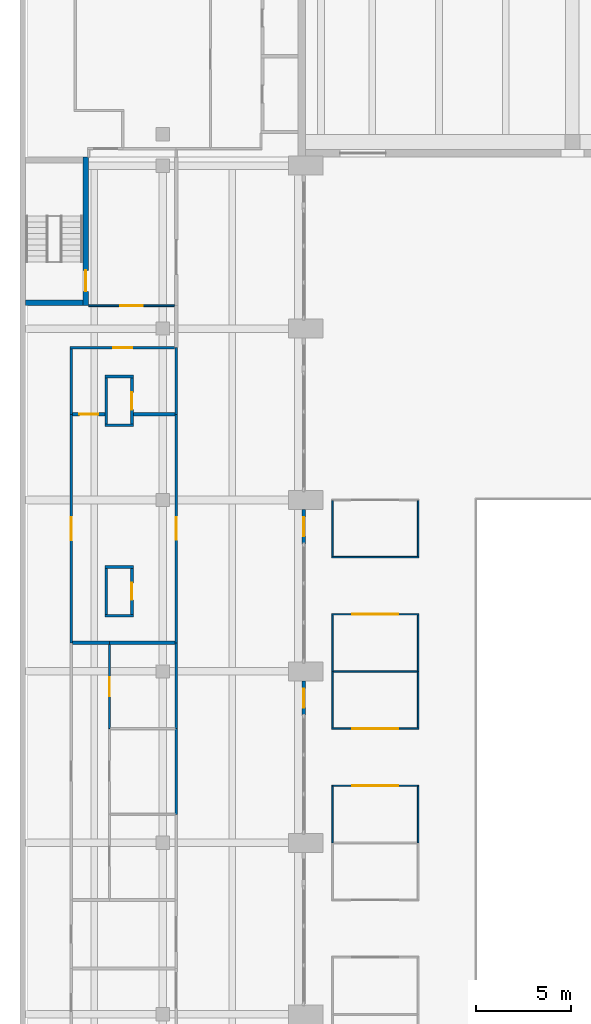
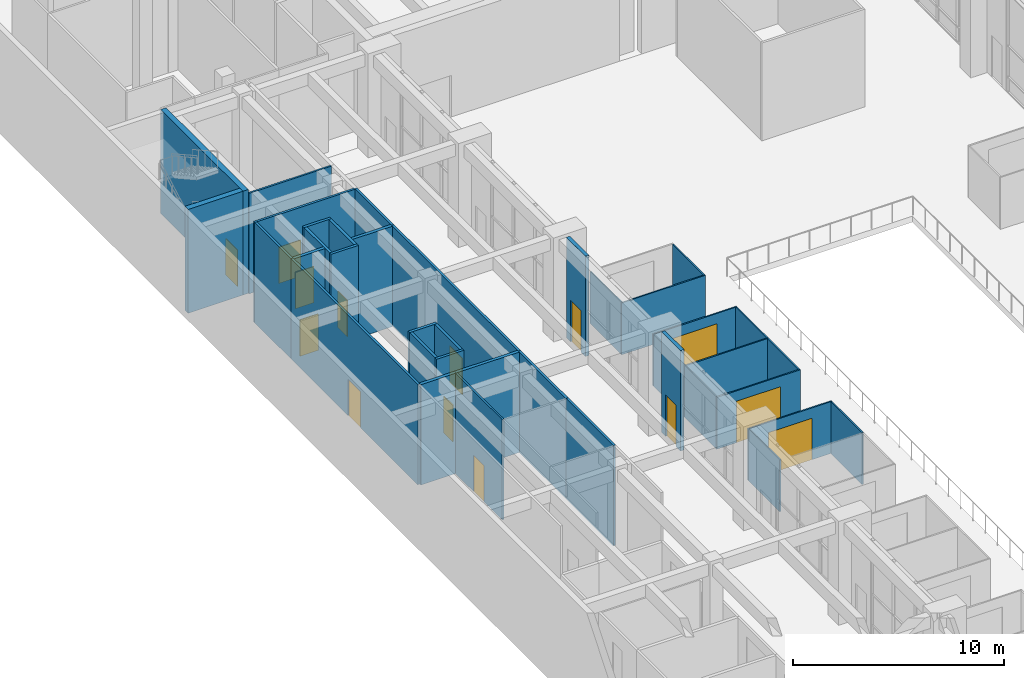
# One storey, part 35 of 51: 38 walls, 14 doors, 14 openings.
"""IFC4 building model written with IfcOpenShell, lengths in metres."""

from ifc_helpers import new_model, si_unit, direction, frame, frame_2d, origin, place, context, subcontext, project, spatial, rectangle, extrude, material, layer, layer_set, type_object, element, fill, save


model = new_model("IFC4")

# Units and contexts
model_context = context("Model", 3, precision=1e-05, world=origin(), true_north=direction((0.0, 1.0)))
body_context = subcontext(model_context, "Body", "Model", "MODEL_VIEW")
ifc_project = project(units=[si_unit("LENGTHUNIT", "METRE"), si_unit("AREAUNIT", "SQUARE_METRE"), si_unit("VOLUMEUNIT", "CUBIC_METRE"), si_unit("PLANEANGLEUNIT", "RADIAN"), si_unit("MASSUNIT", "GRAM", prefix="KILO")], contexts=[model_context])

# Site, building, storey
site_placement = place(None, origin())
site = spatial("IfcSite", under=ifc_project, at=site_placement, CompositionType="ELEMENT")
building_placement = place(site_placement, origin())
building = spatial("IfcBuilding", under=site, at=building_placement, Name="Elmora Arch Market Hall", CompositionType="ELEMENT")
storey_placement = place(building_placement, origin())
storey = spatial("IfcBuildingStorey", under=building, at=storey_placement, Name="L00", CompositionType="ELEMENT", Elevation=0.0)

# Walls
ifc_material_1 = material(Name="Blockwork", Category="masonry")
ifc_layer_1 = layer(ifc_material_1, 0.14990234375)
ifc_layer_set_1 = layer_set([ifc_layer_1], Name="Blockwork")
wall_type_1 = type_object("IfcWallType", Name="Blockwork partition 150 EI 120", PredefinedType="PARTITIONING", material=ifc_layer_set_1)
wall_1_placement = place(storey_placement, frame((4.449951171875, 74.925048828125, 0.0), z_axis=(0.0, 0.0, 1.0), x_axis=(1.0, 0.0, 0.0)))
element("IfcWall", 1, at=wall_1_placement, inside=storey, type_object=wall_type_1, Name="Riser wall L00 05", PredefinedType="PARTITIONING", context=body_context, shape_type="SweptSolid", body=[
    extrude(rectangle(XDim=1.5, YDim=0.14990234375, at=frame_2d((0.75, 0.0))), origin(), (0.0, 0.0, 1.0), 5.800048828125),
])
wall_2_placement = place(storey_placement, frame((4.52490234375, 75.0, 0.0), z_axis=(0.0, 0.0, 1.0), x_axis=(0.0, 1.0, 0.0)))
element("IfcWall", 2, at=wall_2_placement, inside=storey, type_object=wall_type_1, Name="Riser wall L00 06", PredefinedType="PARTITIONING", context=body_context, shape_type="SweptSolid", body=[
    extrude(rectangle(XDim=2.39990234375, YDim=0.14990234375, at=frame_2d((1.199951171875, 0.0))), origin(), (0.0, 0.0, 1.0), 5.800048828125),
])
for number, where, z_axis, x_axis, name in (
    (3, (4.449951171875, 77.47509765625, 0.0), (0.0, 0.0, 1.0), (1.0, 0.0, 0.0), "Riser wall L00 07"),
    (4, (4.449951171875, 84.925048828125, 0.0), (0.0, 0.0, 1.0), (1.0, 0.0, 0.0), "Riser wall L00 08"),
):
    element("IfcWall", number, at=place(storey_placement, frame(where, z_axis=z_axis, x_axis=x_axis)), inside=storey, type_object=wall_type_1, Name=name, PredefinedType="PARTITIONING", context=body_context, shape_type="SweptSolid", body=[
        extrude(rectangle(XDim=1.5, YDim=0.14990234375, at=frame_2d((0.75, 0.0))), origin(), (0.0, 0.0, 1.0), 5.800048828125),
    ])
wall_3_placement = place(storey_placement, frame((4.52490234375, 85.0, 0.0), z_axis=(0.0, 0.0, 1.0), x_axis=(0.0, 1.0, 0.0)))
element("IfcWall", 5, at=wall_3_placement, inside=storey, type_object=wall_type_1, Name="Riser wall L00 09", PredefinedType="PARTITIONING", context=body_context, shape_type="SweptSolid", body=[
    extrude(rectangle(XDim=2.39990234375, YDim=0.14990234375, at=frame_2d((1.199951171875, 0.0))), origin(), (0.0, 0.0, 1.0), 5.800048828125),
])
wall_4_placement = place(storey_placement, frame((4.449951171875, 87.47509765625, 0.0), z_axis=(0.0, 0.0, 1.0), x_axis=(1.0, 0.0, 0.0)))
element("IfcWall", 6, at=wall_4_placement, inside=storey, type_object=wall_type_1, Name="Riser wall L00 10", PredefinedType="PARTITIONING", context=body_context, shape_type="SweptSolid", body=[
    extrude(rectangle(XDim=1.5, YDim=0.14990234375, at=frame_2d((0.75, 0.0))), origin(), (0.0, 0.0, 1.0), 5.800048828125),
])

# Wall, opening, door
wall_5_placement = place(storey_placement, frame((5.875, 75.0, 0.0), z_axis=(0.0, 0.0, 1.0), x_axis=(0.0, 1.0, 0.0)))
wall_5 = element("IfcWall", 7, at=wall_5_placement, inside=storey, type_object=wall_type_1, Name="Riser wall L00 12", PredefinedType="PARTITIONING", context=body_context, shape_type="SweptSolid", body=[
    extrude(rectangle(XDim=2.39990234375, YDim=0.14990234375, at=frame_2d((1.199951171875, 0.0))), origin(), (0.0, 0.0, 1.0), 5.800048828125),
])
opening_1_placement = place(wall_5_placement, frame((0.75, 0.0, 0.0)))
opening_1 = element("IfcOpeningElement", 8, at=opening_1_placement, cuts=wall_5, Name="Opening D-L00-060", PredefinedType="OPENING", context=body_context, shape_type="SweptSolid", body=[
    extrude(rectangle(XDim=0.89990234375, YDim=2.10009765625, at=frame_2d((0.449951171875, 1.050048828125))), frame((0.0, 0.0849609375, 0.0), z_axis=(0.0, -1.0, 0.0), x_axis=(1.0, 0.0, 0.0)), (0.0, 0.0, 1.0), 0.169921875),
])
ifc_material_2 = material(Name="Steel ASTM A653 galvanised", Category="steel")
door_type_1 = type_object("IfcDoorType", Name="Door 900 x 2100 FD90", OperationType="SINGLE_SWING_LEFT", PredefinedType="DOOR", material=ifc_material_2)
door_1_placement = place(opening_1_placement, origin())
door_1 = element("IfcDoor", 9, at=door_1_placement, inside=storey, type_object=door_type_1, Name="Riser access door D-L00-060", OperationType="SINGLE_SWING_LEFT", OverallHeight=2.10009765625, OverallWidth=0.89990234375, PredefinedType="DOOR", context=body_context, shape_type="SweptSolid", body=[
    extrude(rectangle(XDim=0.89990234375, YDim=2.10009765625, at=frame_2d((0.449951171875, 1.050048828125))), frame((0.0, 0.02490234375, 0.0), z_axis=(0.0, -1.0, 0.0), x_axis=(1.0, 0.0, 0.0)), (0.0, 0.0, 1.0), 0.050048828125),
])
fill(opening_1, door_1)

wall_6_placement = place(storey_placement, frame((5.875, 85.0, 0.0), z_axis=(0.0, 0.0, 1.0), x_axis=(0.0, 1.0, 0.0)))
wall_6 = element("IfcWall", 10, at=wall_6_placement, inside=storey, type_object=wall_type_1, Name="Riser wall L00 13", PredefinedType="PARTITIONING", context=body_context, shape_type="SweptSolid", body=[
    extrude(rectangle(XDim=2.39990234375, YDim=0.14990234375, at=frame_2d((1.199951171875, 0.0))), origin(), (0.0, 0.0, 1.0), 5.800048828125),
])
opening_2_placement = place(wall_6_placement, frame((0.75, 0.0, 0.0)))
opening_2 = element("IfcOpeningElement", 11, at=opening_2_placement, cuts=wall_6, Name="Opening D-L00-067", PredefinedType="OPENING", context=body_context, shape_type="SweptSolid", body=[
    extrude(rectangle(XDim=0.89990234375, YDim=2.10009765625, at=frame_2d((0.449951171875, 1.050048828125))), frame((0.0, 0.0849609375, 0.0), z_axis=(0.0, -1.0, 0.0), x_axis=(1.0, 0.0, 0.0)), (0.0, 0.0, 1.0), 0.169921875),
])
door_2_placement = place(opening_2_placement, origin())
door_2 = element("IfcDoor", 12, at=door_2_placement, inside=storey, type_object=door_type_1, Name="Riser access door D-L00-067", OperationType="SINGLE_SWING_LEFT", OverallHeight=2.10009765625, OverallWidth=0.89990234375, PredefinedType="DOOR", context=body_context, shape_type="SweptSolid", body=[
    extrude(rectangle(XDim=0.89990234375, YDim=2.10009765625, at=frame_2d((0.449951171875, 1.050048828125))), frame((0.0, 0.02490234375, 0.0), z_axis=(0.0, -1.0, 0.0), x_axis=(1.0, 0.0, 0.0)), (0.0, 0.0, 1.0), 0.050048828125),
])
fill(opening_2, door_2)

ifc_material_3 = material(Name="Concrete C40/50", Category="concrete")
ifc_layer_2 = layer(ifc_material_3, 0.199951171875)
ifc_layer_set_2 = layer_set([ifc_layer_2], Name="Concrete C40/50")
wall_type_2 = type_object("IfcWallType", Name="Concrete shopfront pier 200", PredefinedType="PARTITIONING", material=ifc_layer_set_2)
wall_7_placement = place(storey_placement, frame((14.89990234375, 71.5, 0.0), z_axis=(0.0, 0.0, 1.0), x_axis=(0.0, -1.0, 0.0)))
wall_7 = element("IfcWall", 13, at=wall_7_placement, inside=storey, type_object=wall_type_2, Name="Shopfront pier W 5", PredefinedType="PARTITIONING", context=body_context, shape_type="SweptSolid", body=[
    extrude(rectangle(XDim=1.800048828125, YDim=0.199951171875, at=frame_2d((0.89990234375, 0.0))), origin(), (0.0, 0.0, 1.0), 5.800048828125),
])
opening_3_placement = place(wall_7_placement, frame((0.39990234375, 0.0, 0.0)))
opening_3 = element("IfcOpeningElement", 14, at=opening_3_placement, cuts=wall_7, Name="Opening SD-W05", PredefinedType="OPENING", context=body_context, shape_type="SweptSolid", body=[
    extrude(rectangle(XDim=1.0, YDim=2.39990234375, at=frame_2d((0.5, 1.199951171875))), frame((0.0, 0.10986328125, 0.0), z_axis=(0.0, -1.0, 0.0), x_axis=(1.0, 0.0, 0.0)), (0.0, 0.0, 1.0), 0.219970703125),
])
ifc_material_4 = material(Name="Glazed aluminium", Category="aluminium")
door_type_2 = type_object("IfcDoorType", Name="Shop door 1000x2400", OperationType="SINGLE_SWING_LEFT", PredefinedType="DOOR", material=ifc_material_4)
door_3_placement = place(opening_3_placement, frame((1.0, 0.0, 0.0), z_axis=(0.0, 0.0, 1.0), x_axis=(-1.0, 0.0, 0.0)))
door_3 = element("IfcDoor", 15, at=door_3_placement, inside=storey, type_object=door_type_2, Name="Shop door W05", OperationType="SINGLE_SWING_RIGHT", OverallHeight=2.39990234375, OverallWidth=1.0, PredefinedType="DOOR", context=body_context, shape_type="SweptSolid", body=[
    extrude(rectangle(XDim=1.0, YDim=2.39990234375, at=frame_2d((0.5, 1.199951171875))), frame((0.0, 0.02490234375, 0.0), z_axis=(0.0, -1.0, 0.0), x_axis=(1.0, 0.0, 0.0)), (0.0, 0.0, 1.0), 0.050048828125),
])
fill(opening_3, door_3)

wall_8_placement = place(storey_placement, frame((14.89990234375, 80.5, 0.0), z_axis=(0.0, 0.0, 1.0), x_axis=(0.0, -1.0, 0.0)))
wall_8 = element("IfcWall", 16, at=wall_8_placement, inside=storey, type_object=wall_type_2, Name="Shopfront pier W 6", PredefinedType="PARTITIONING", context=body_context, shape_type="SweptSolid", body=[
    extrude(rectangle(XDim=1.800048828125, YDim=0.199951171875, at=frame_2d((0.89990234375, 0.0))), origin(), (0.0, 0.0, 1.0), 5.800048828125),
])
opening_4_placement = place(wall_8_placement, frame((0.39990234375, 0.0, 0.0)))
opening_4 = element("IfcOpeningElement", 17, at=opening_4_placement, cuts=wall_8, Name="Opening SD-W06", PredefinedType="OPENING", context=body_context, shape_type="SweptSolid", body=[
    extrude(rectangle(XDim=1.0, YDim=2.39990234375, at=frame_2d((0.5, 1.199951171875))), frame((0.0, 0.10986328125, 0.0), z_axis=(0.0, -1.0, 0.0), x_axis=(1.0, 0.0, 0.0)), (0.0, 0.0, 1.0), 0.219970703125),
])
door_4_placement = place(opening_4_placement, frame((1.0, 0.0, 0.0), z_axis=(0.0, 0.0, 1.0), x_axis=(-1.0, 0.0, 0.0)))
door_4 = element("IfcDoor", 18, at=door_4_placement, inside=storey, type_object=door_type_2, Name="Shop door W06", OperationType="SINGLE_SWING_RIGHT", OverallHeight=2.39990234375, OverallWidth=1.0, PredefinedType="DOOR", context=body_context, shape_type="SweptSolid", body=[
    extrude(rectangle(XDim=1.0, YDim=2.39990234375, at=frame_2d((0.5, 1.199951171875))), frame((0.0, 0.02490234375, 0.0), z_axis=(0.0, -1.0, 0.0), x_axis=(1.0, 0.0, 0.0)), (0.0, 0.0, 1.0), 0.050048828125),
])
fill(opening_4, door_4)

ifc_material_5 = material(Name="Gypsum board on metal studs")
ifc_layer_3 = layer(ifc_material_5, 0.10009765625)
ifc_layer_set_3 = layer_set([ifc_layer_3], Name="Gypsum board on metal studs")
wall_type_3 = type_object("IfcWallType", Name="Partition 100", PredefinedType="PARTITIONING", material=ifc_layer_set_3)
wall_9_placement = place(storey_placement, frame((3.60009765625, 91.199951171875, 0.0), z_axis=(0.0, 0.0, 1.0), x_axis=(1.0, 0.0, 0.0)))
wall_9 = element("IfcWall", 19, at=wall_9_placement, inside=storey, type_object=wall_type_3, Name="Partition PT-L00-085", PredefinedType="PARTITIONING", context=body_context, shape_type="SweptSolid", body=[
    extrude(rectangle(XDim=4.512451171875, YDim=0.10009765625, at=frame_2d((2.25634765625, 0.0))), origin(), (0.0, 0.0, 1.0), 5.800048828125),
])
opening_5_placement = place(wall_9_placement, frame((1.64990234375, 0.0, 0.0)))
opening_5 = element("IfcOpeningElement", 20, at=opening_5_placement, cuts=wall_9, Name="Opening D-L00-070", PredefinedType="OPENING", context=body_context, shape_type="SweptSolid", body=[
    extrude(rectangle(XDim=1.199951171875, YDim=2.10009765625, at=frame_2d((0.60009765625, 1.050048828125))), frame((0.0, 0.06005859375, 0.0), z_axis=(0.0, -1.0, 0.0), x_axis=(1.0, 0.0, 0.0)), (0.0, 0.0, 1.0), 0.1201171875),
])
ifc_material_6 = material(Name="Timber door set", Category="wood")
door_type_3 = type_object("IfcDoorType", Name="Door 1200 x 2100", OperationType="SINGLE_SWING_LEFT", PredefinedType="DOOR", material=ifc_material_6)
door_5_placement = place(opening_5_placement, origin())
door_5 = element("IfcDoor", 21, at=door_5_placement, inside=storey, type_object=door_type_3, Name="D-L00-070", OperationType="SINGLE_SWING_LEFT", OverallHeight=2.10009765625, OverallWidth=1.199951171875, PredefinedType="DOOR", context=body_context, shape_type="SweptSolid", body=[
    extrude(rectangle(XDim=1.199951171875, YDim=2.10009765625, at=frame_2d((0.60009765625, 1.050048828125))), frame((0.0, 0.02490234375, 0.0), z_axis=(0.0, -1.0, 0.0), x_axis=(1.0, 0.0, 0.0)), (0.0, 0.0, 1.0), 0.050048828125),
])
fill(opening_5, door_5)

wall_10_placement = place(storey_placement, frame((4.699951171875, 69.0, 0.0), z_axis=(0.0, 0.0, 1.0), x_axis=(0.0, 1.0, 0.0)))
wall_10 = element("IfcWall", 22, at=wall_10_placement, inside=storey, type_object=wall_type_3, Name="Partition PT-L00-147", PredefinedType="PARTITIONING", context=body_context, shape_type="SweptSolid", body=[
    extrude(rectangle(XDim=4.41259765625, YDim=0.10009765625, at=frame_2d((2.206298828125, 0.0))), origin(), (0.0, 0.0, 1.0), 5.800048828125),
])
opening_6_placement = place(wall_10_placement, frame((1.699951171875, 0.0, 0.0)))
opening_6 = element("IfcOpeningElement", 23, at=opening_6_placement, cuts=wall_10, Name="Opening D-L00-057", PredefinedType="OPENING", context=body_context, shape_type="SweptSolid", body=[
    extrude(rectangle(XDim=1.0, YDim=2.10009765625, at=frame_2d((0.5, 1.050048828125))), frame((0.0, 0.06005859375, 0.0), z_axis=(0.0, -1.0, 0.0), x_axis=(1.0, 0.0, 0.0)), (0.0, 0.0, 1.0), 0.1201171875),
])
ifc_material_7 = material(Name="Timber door set", Category="wood")
door_type_4 = type_object("IfcDoorType", Name="Door 1000 x 2100", OperationType="SINGLE_SWING_LEFT", PredefinedType="DOOR", material=ifc_material_7)
door_6_placement = place(opening_6_placement, frame((1.0, 0.0, 0.0), z_axis=(0.0, 0.0, 1.0), x_axis=(-1.0, 0.0, 0.0)))
door_6 = element("IfcDoor", 24, at=door_6_placement, inside=storey, type_object=door_type_4, Name="D-L00-057", OperationType="SINGLE_SWING_RIGHT", OverallHeight=2.10009765625, OverallWidth=1.0, PredefinedType="DOOR", context=body_context, shape_type="SweptSolid", body=[
    extrude(rectangle(XDim=1.0, YDim=2.10009765625, at=frame_2d((0.5, 1.050048828125))), frame((0.0, 0.02490234375, 0.0), z_axis=(0.0, -1.0, 0.0), x_axis=(1.0, 0.0, 0.0)), (0.0, 0.0, 1.0), 0.050048828125),
])
fill(opening_6, door_6)

ifc_material_8 = material(Name="Gypsum board on metal studs")
ifc_layer_4 = layer(ifc_material_8, 0.125)
ifc_layer_set_4 = layer_set([ifc_layer_4], Name="Gypsum board on metal studs")
wall_type_4 = type_object("IfcWallType", Name="Partition 125 EI 60", PredefinedType="PARTITIONING", material=ifc_layer_set_4)
wall_11_placement = place(storey_placement, frame((2.637451171875, 89.0, 0.0), z_axis=(0.0, 0.0, 1.0), x_axis=(1.0, 0.0, 0.0)))
wall_11 = element("IfcWall", 25, at=wall_11_placement, inside=storey, type_object=wall_type_4, Name="Partition PT-L00-082", PredefinedType="PARTITIONING", context=body_context, shape_type="SweptSolid", body=[
    extrude(rectangle(XDim=5.47509765625, YDim=0.125, at=frame_2d((2.737548828125, 0.0))), origin(), (0.0, 0.0, 1.0), 5.800048828125),
])
opening_7_placement = place(wall_11_placement, frame((2.262451171875, 0.0, 0.0)))
opening_7 = element("IfcOpeningElement", 26, at=opening_7_placement, cuts=wall_11, Name="Opening D-L00-068", PredefinedType="OPENING", context=body_context, shape_type="SweptSolid", body=[
    extrude(rectangle(XDim=1.0, YDim=2.10009765625, at=frame_2d((0.5, 1.050048828125))), frame((0.0, 0.072509765625, 0.0), z_axis=(0.0, -1.0, 0.0), x_axis=(1.0, 0.0, 0.0)), (0.0, 0.0, 1.0), 0.14501953125),
])
ifc_material_9 = material(Name="Steel ASTM A653 galvanised", Category="steel")
door_type_5 = type_object("IfcDoorType", Name="Door 1000 x 2100 FD45", OperationType="SINGLE_SWING_LEFT", PredefinedType="DOOR", material=ifc_material_9)
door_7_placement = place(opening_7_placement, frame((1.0, 0.0, 0.0), z_axis=(0.0, 0.0, 1.0), x_axis=(-1.0, 0.0, 0.0)))
door_7 = element("IfcDoor", 27, at=door_7_placement, inside=storey, type_object=door_type_5, Name="D-L00-068", OperationType="SINGLE_SWING_RIGHT", OverallHeight=2.10009765625, OverallWidth=1.0, PredefinedType="DOOR", context=body_context, shape_type="SweptSolid", body=[
    extrude(rectangle(XDim=1.0, YDim=2.10009765625, at=frame_2d((0.5, 1.050048828125))), frame((0.0, 0.02490234375, 0.0), z_axis=(0.0, -1.0, 0.0), x_axis=(1.0, 0.0, 0.0)), (0.0, 0.0, 1.0), 0.050048828125),
])
fill(opening_7, door_7)

wall_12_placement = place(storey_placement, frame((2.699951171875, 73.5, 0.0), z_axis=(0.0, 0.0, 1.0), x_axis=(0.0, 1.0, 0.0)))
wall_12 = element("IfcWall", 28, at=wall_12_placement, inside=storey, type_object=wall_type_4, Name="Partition PT-L00-139", PredefinedType="PARTITIONING", context=body_context, shape_type="SweptSolid", body=[
    extrude(rectangle(XDim=12.0, YDim=0.125, at=frame_2d((6.0, 0.0))), origin(), (0.0, 0.0, 1.0), 5.800048828125),
])
opening_8_placement = place(wall_12_placement, frame((5.39990234375, 0.0, 0.0)))
opening_8 = element("IfcOpeningElement", 29, at=opening_8_placement, cuts=wall_12, Name="Opening D-L00-061", PredefinedType="OPENING", context=body_context, shape_type="SweptSolid", body=[
    extrude(rectangle(XDim=1.199951171875, YDim=2.10009765625, at=frame_2d((0.60009765625, 1.050048828125))), frame((0.0, 0.072509765625, 0.0), z_axis=(0.0, -1.0, 0.0), x_axis=(1.0, 0.0, 0.0)), (0.0, 0.0, 1.0), 0.14501953125),
])
ifc_material_10 = material(Name="Steel ASTM A653 galvanised", Category="steel")
door_type_6 = type_object("IfcDoorType", Name="Door 1200 x 2100 FD45", OperationType="SINGLE_SWING_LEFT", PredefinedType="DOOR", material=ifc_material_10)
door_8_placement = place(opening_8_placement, frame((1.199951171875, 0.0, 0.0), z_axis=(0.0, 0.0, 1.0), x_axis=(-1.0, 0.0, 0.0)))
door_8 = element("IfcDoor", 30, at=door_8_placement, inside=storey, type_object=door_type_6, Name="D-L00-061", OperationType="SINGLE_SWING_RIGHT", OverallHeight=2.10009765625, OverallWidth=1.199951171875, PredefinedType="DOOR", context=body_context, shape_type="SweptSolid", body=[
    extrude(rectangle(XDim=1.199951171875, YDim=2.10009765625, at=frame_2d((0.60009765625, 1.050048828125))), frame((0.0, 0.02490234375, 0.0), z_axis=(0.0, -1.0, 0.0), x_axis=(1.0, 0.0, 0.0)), (0.0, 0.0, 1.0), 0.050048828125),
])
fill(opening_8, door_8)

# Walls
wall_13_placement = place(storey_placement, frame((2.699951171875, 85.5, 0.0), z_axis=(0.0, 0.0, 1.0), x_axis=(0.0, 1.0, 0.0)))
element("IfcWall", 31, at=wall_13_placement, inside=storey, type_object=wall_type_4, Name="Partition PT-L00-140", PredefinedType="PARTITIONING", context=body_context, shape_type="SweptSolid", body=[
    extrude(rectangle(XDim=3.4375, YDim=0.125, at=frame_2d((1.71875, 0.0))), origin(), (0.0, 0.0, 1.0), 5.800048828125),
])
for number, where, z_axis, x_axis, name in (
    (32, (8.199951171875, 64.5, 0.0), (0.0, 0.0, 1.0), (0.0, 1.0, 0.0), "Partition PT-L00-158"),
    (33, (8.199951171875, 69.0, 0.0), (0.0, 0.0, 1.0), (0.0, 1.0, 0.0), "Partition PT-L00-159"),
):
    element("IfcWall", number, at=place(storey_placement, frame(where, z_axis=z_axis, x_axis=x_axis)), inside=storey, type_object=wall_type_4, Name=name, PredefinedType="PARTITIONING", context=body_context, shape_type="SweptSolid", body=[
        extrude(rectangle(XDim=4.5, YDim=0.125, at=frame_2d((2.25, 0.0))), origin(), (0.0, 0.0, 1.0), 5.800048828125),
    ])

# Wall, opening, door
wall_14_placement = place(storey_placement, frame((8.199951171875, 73.5, 0.0), z_axis=(0.0, 0.0, 1.0), x_axis=(0.0, 1.0, 0.0)))
wall_14 = element("IfcWall", 34, at=wall_14_placement, inside=storey, type_object=wall_type_4, Name="Partition PT-L00-160", PredefinedType="PARTITIONING", context=body_context, shape_type="SweptSolid", body=[
    extrude(rectangle(XDim=12.0, YDim=0.125, at=frame_2d((6.0, 0.0))), origin(), (0.0, 0.0, 1.0), 5.800048828125),
])
opening_9_placement = place(wall_14_placement, frame((5.39990234375, 0.0, 0.0)))
opening_9 = element("IfcOpeningElement", 35, at=opening_9_placement, cuts=wall_14, Name="Opening D-L00-062", PredefinedType="OPENING", context=body_context, shape_type="SweptSolid", body=[
    extrude(rectangle(XDim=1.199951171875, YDim=2.10009765625, at=frame_2d((0.60009765625, 1.050048828125))), frame((0.0, 0.072509765625, 0.0), z_axis=(0.0, -1.0, 0.0), x_axis=(1.0, 0.0, 0.0)), (0.0, 0.0, 1.0), 0.14501953125),
])
door_9_placement = place(opening_9_placement, origin())
door_9 = element("IfcDoor", 36, at=door_9_placement, inside=storey, type_object=door_type_6, Name="D-L00-062", OperationType="SINGLE_SWING_LEFT", OverallHeight=2.10009765625, OverallWidth=1.199951171875, PredefinedType="DOOR", context=body_context, shape_type="SweptSolid", body=[
    extrude(rectangle(XDim=1.199951171875, YDim=2.10009765625, at=frame_2d((0.60009765625, 1.050048828125))), frame((0.0, 0.02490234375, 0.0), z_axis=(0.0, -1.0, 0.0), x_axis=(1.0, 0.0, 0.0)), (0.0, 0.0, 1.0), 0.050048828125),
])
fill(opening_9, door_9)

# Walls
wall_15_placement = place(storey_placement, frame((8.199951171875, 85.5, 0.0), z_axis=(0.0, 0.0, 1.0), x_axis=(0.0, 1.0, 0.0)))
element("IfcWall", 37, at=wall_15_placement, inside=storey, type_object=wall_type_4, Name="Partition PT-L00-161", PredefinedType="PARTITIONING", context=body_context, shape_type="SweptSolid", body=[
    extrude(rectangle(XDim=3.5, YDim=0.125, at=frame_2d((1.75, 0.0))), origin(), (0.0, 0.0, 1.0), 5.800048828125),
])
ifc_material_11 = material(Name="Gypsum board on metal studs")
ifc_layer_5 = layer(ifc_material_11, 0.175048828125)
ifc_layer_set_5 = layer_set([ifc_layer_5], Name="Gypsum board on metal studs")
wall_type_5 = type_object("IfcWallType", Name="Partition 175 EI 60", PredefinedType="PARTITIONING", material=ifc_layer_set_5)
wall_16_placement = place(storey_placement, frame((2.762451171875, 73.5, 0.0), z_axis=(0.0, 0.0, 1.0), x_axis=(1.0, 0.0, 0.0)))
element("IfcWall", 38, at=wall_16_placement, inside=storey, type_object=wall_type_5, Name="Partition PT-L00-069", PredefinedType="PARTITIONING", context=body_context, shape_type="SweptSolid", body=[
    extrude(rectangle(XDim=1.9375, YDim=0.175048828125, at=frame_2d((0.96875, 0.0))), origin(), (0.0, 0.0, 1.0), 5.800048828125),
])
wall_17_placement = place(storey_placement, frame((4.699951171875, 73.5, 0.0), z_axis=(0.0, 0.0, 1.0), x_axis=(1.0, 0.0, 0.0)))
element("IfcWall", 39, at=wall_17_placement, inside=storey, type_object=wall_type_5, Name="Partition PT-L00-070", PredefinedType="PARTITIONING", context=body_context, shape_type="SweptSolid", body=[
    extrude(rectangle(XDim=3.4375, YDim=0.175048828125, at=frame_2d((1.71875, 0.0))), origin(), (0.0, 0.0, 1.0), 5.800048828125),
])

# Wall, opening, door
wall_18_placement = place(storey_placement, frame((2.762451171875, 85.5, 0.0), z_axis=(0.0, 0.0, 1.0), x_axis=(1.0, 0.0, 0.0)))
wall_18 = element("IfcWall", 40, at=wall_18_placement, inside=storey, type_object=wall_type_5, Name="Partition PT-L00-080", PredefinedType="PARTITIONING", context=body_context, shape_type="SweptSolid", body=[
    extrude(rectangle(XDim=1.6875, YDim=0.175048828125, at=frame_2d((0.84375, 0.0))), origin(), (0.0, 0.0, 1.0), 5.800048828125),
])
opening_10_placement = place(wall_18_placement, frame((0.35009765625, 0.0, 0.0)))
opening_10 = element("IfcOpeningElement", 41, at=opening_10_placement, cuts=wall_18, Name="Opening D-L00-066", PredefinedType="OPENING", context=body_context, shape_type="SweptSolid", body=[
    extrude(rectangle(XDim=1.0, YDim=2.10009765625, at=frame_2d((0.5, 1.050048828125))), frame((0.0, 0.097412109375, 0.0), z_axis=(0.0, -1.0, 0.0), x_axis=(1.0, 0.0, 0.0)), (0.0, 0.0, 1.0), 0.195068359375),
])
door_10_placement = place(opening_10_placement, origin())
door_10 = element("IfcDoor", 42, at=door_10_placement, inside=storey, type_object=door_type_4, Name="D-L00-066", OperationType="SINGLE_SWING_RIGHT", OverallHeight=2.10009765625, OverallWidth=1.0, PredefinedType="DOOR", context=body_context, shape_type="SweptSolid", body=[
    extrude(rectangle(XDim=1.0, YDim=2.10009765625, at=frame_2d((0.5, 1.050048828125))), frame((0.0, 0.02490234375, 0.0), z_axis=(0.0, -1.0, 0.0), x_axis=(1.0, 0.0, 0.0)), (0.0, 0.0, 1.0), 0.050048828125),
])
fill(opening_10, door_10)

# Wall
wall_19_placement = place(storey_placement, frame((5.949951171875, 85.5, 0.0), z_axis=(0.0, 0.0, 1.0), x_axis=(1.0, 0.0, 0.0)))
element("IfcWall", 43, at=wall_19_placement, inside=storey, type_object=wall_type_5, Name="Partition PT-L00-081", PredefinedType="PARTITIONING", context=body_context, shape_type="SweptSolid", body=[
    extrude(rectangle(XDim=2.1875, YDim=0.175048828125, at=frame_2d((1.09375, 0.0))), origin(), (0.0, 0.0, 1.0), 5.800048828125),
])

# Wall, opening, door
ifc_material_12 = material(Name="Concrete C40/50", Category="concrete")
ifc_layer_6 = layer(ifc_material_12, 0.300048828125)
ifc_layer_set_6 = layer_set([ifc_layer_6], Name="Concrete C40/50")
wall_type_6 = type_object("IfcWallType", Name="Stair wall 300", PredefinedType="SHEAR", material=ifc_layer_set_6)
wall_20_placement = place(storey_placement, frame((3.449951171875, 91.199951171875, 0.0), z_axis=(0.0, 0.0, 1.0), x_axis=(0.0, 1.0, 0.0)))
wall_20 = element("IfcWall", 44, at=wall_20_placement, inside=storey, type_object=wall_type_6, Name="Stair wall ST-WN E L00", PredefinedType="SHEAR", context=body_context, shape_type="SweptSolid", body=[
    extrude(rectangle(XDim=7.800048828125, YDim=0.300048828125, at=frame_2d((3.89990234375, 0.0))), origin(), (0.0, 0.0, 1.0), 6.0),
])
opening_11_placement = place(wall_20_placement, frame((0.75, 0.0, 0.0)))
opening_11 = element("IfcOpeningElement", 45, at=opening_11_placement, cuts=wall_20, Name="Opening ST-WN-L00", PredefinedType="OPENING", context=body_context, shape_type="SweptSolid", body=[
    extrude(rectangle(XDim=1.10009765625, YDim=2.10009765625, at=frame_2d((0.550048828125, 1.050048828125))), frame((0.0, 0.159912109375, 0.0), z_axis=(0.0, -1.0, 0.0), x_axis=(1.0, 0.0, 0.0)), (0.0, 0.0, 1.0), 0.320068359375),
])
ifc_material_13 = material(Name="Steel ASTM A653 galvanised", Category="steel")
door_type_7 = type_object("IfcDoorType", Name="Stair door 1100 x 2100 FD90", OperationType="SINGLE_SWING_LEFT", PredefinedType="DOOR", material=ifc_material_13)
door_11_placement = place(opening_11_placement, origin())
door_11 = element("IfcDoor", 46, at=door_11_placement, inside=storey, type_object=door_type_7, Name="Stair door ST-WN L00", OperationType="SINGLE_SWING_LEFT", OverallHeight=2.10009765625, OverallWidth=1.10009765625, PredefinedType="DOOR", context=body_context, shape_type="SweptSolid", body=[
    extrude(rectangle(XDim=1.10009765625, YDim=2.10009765625, at=frame_2d((0.550048828125, 1.050048828125))), frame((0.0, 0.02490234375, 0.0), z_axis=(0.0, -1.0, 0.0), x_axis=(1.0, 0.0, 0.0)), (0.0, 0.0, 1.0), 0.050048828125),
])
fill(opening_11, door_11)

# Wall
wall_21_placement = place(storey_placement, frame((0.300048828125, 91.35009765625, 0.0), z_axis=(0.0, 0.0, 1.0), x_axis=(1.0, 0.0, 0.0)))
element("IfcWall", 47, at=wall_21_placement, inside=storey, type_object=wall_type_6, Name="Stair wall ST-WN S L00", PredefinedType="SHEAR", context=body_context, shape_type="SweptSolid", body=[
    extrude(rectangle(XDim=3.0, YDim=0.300048828125, at=frame_2d((1.5, 0.0))), origin(), (0.0, 0.0, 1.0), 6.0),
])

# Wall, opening, door
ifc_material_14 = material(Name="Gypsum board on metal studs")
ifc_layer_7 = layer(ifc_material_14, 0.074951171875)
ifc_layer_set_7 = layer_set([ifc_layer_7], Name="Gypsum board on metal studs")
wall_type_7 = type_object("IfcWallType", Name="Stall partition 75 (3.0 m)", PredefinedType="PARTITIONING", material=ifc_layer_set_7)
wall_22_placement = place(storey_placement, frame((16.362548828125, 66.0, 0.0), z_axis=(0.0, 0.0, 1.0), x_axis=(1.0, 0.0, 0.0)))
wall_22 = element("IfcWall", 48, at=wall_22_placement, inside=storey, type_object=wall_type_7, Name="Partition PT-L00-061", PredefinedType="PARTITIONING", context=body_context, shape_type="SweptSolid", body=[
    extrude(rectangle(XDim=4.574951171875, YDim=0.074951171875, at=frame_2d((2.28759765625, 0.0))), origin(), (0.0, 0.0, 1.0), 3.0),
])
opening_12_placement = place(wall_22_placement, frame((1.08740234375, 0.0, 0.0)))
opening_12 = element("IfcOpeningElement", 49, at=opening_12_placement, cuts=wall_22, Name="Opening D-L00-050", PredefinedType="OPENING", context=body_context, shape_type="SweptSolid", body=[
    extrude(rectangle(XDim=2.39990234375, YDim=2.39990234375, at=frame_2d((1.199951171875, 1.199951171875))), frame((0.0, 0.04736328125, 0.0), z_axis=(0.0, -1.0, 0.0), x_axis=(1.0, 0.0, 0.0)), (0.0, 0.0, 1.0), 0.094970703125),
])
ifc_material_15 = material(Name="Aluminium roller shutter", Category="aluminium")
door_type_8 = type_object("IfcDoorType", Name="Roller shutter 2400 x 2400", OperationType="ROLLINGUP", PredefinedType="DOOR", material=ifc_material_15)
door_12_placement = place(opening_12_placement, origin())
door_12 = element("IfcDoor", 50, at=door_12_placement, inside=storey, type_object=door_type_8, Name="D-L00-050", OperationType="ROLLINGUP", OverallHeight=2.39990234375, OverallWidth=2.39990234375, PredefinedType="DOOR", context=body_context, shape_type="SweptSolid", body=[
    extrude(rectangle(XDim=2.39990234375, YDim=2.39990234375, at=frame_2d((1.199951171875, 1.199951171875))), frame((0.0, 0.02490234375, 0.0), z_axis=(0.0, -1.0, 0.0), x_axis=(1.0, 0.0, 0.0)), (0.0, 0.0, 1.0), 0.050048828125),
])
fill(opening_12, door_12)

wall_23_placement = place(storey_placement, frame((16.362548828125, 69.0, 0.0), z_axis=(0.0, 0.0, 1.0), x_axis=(1.0, 0.0, 0.0)))
wall_23 = element("IfcWall", 51, at=wall_23_placement, inside=storey, type_object=wall_type_7, Name="Partition PT-L00-065", PredefinedType="PARTITIONING", context=body_context, shape_type="SweptSolid", body=[
    extrude(rectangle(XDim=4.574951171875, YDim=0.074951171875, at=frame_2d((2.28759765625, 0.0))), origin(), (0.0, 0.0, 1.0), 3.0),
])
opening_13_placement = place(wall_23_placement, frame((1.08740234375, 0.0, 0.0)))
opening_13 = element("IfcOpeningElement", 52, at=opening_13_placement, cuts=wall_23, Name="Opening D-L00-054", PredefinedType="OPENING", context=body_context, shape_type="SweptSolid", body=[
    extrude(rectangle(XDim=2.39990234375, YDim=2.39990234375, at=frame_2d((1.199951171875, 1.199951171875))), frame((0.0, 0.04736328125, 0.0), z_axis=(0.0, -1.0, 0.0), x_axis=(1.0, 0.0, 0.0)), (0.0, 0.0, 1.0), 0.094970703125),
])
door_13_placement = place(opening_13_placement, origin())
door_13 = element("IfcDoor", 53, at=door_13_placement, inside=storey, type_object=door_type_8, Name="D-L00-054", OperationType="ROLLINGUP", OverallHeight=2.39990234375, OverallWidth=2.39990234375, PredefinedType="DOOR", context=body_context, shape_type="SweptSolid", body=[
    extrude(rectangle(XDim=2.39990234375, YDim=2.39990234375, at=frame_2d((1.199951171875, 1.199951171875))), frame((0.0, 0.02490234375, 0.0), z_axis=(0.0, -1.0, 0.0), x_axis=(1.0, 0.0, 0.0)), (0.0, 0.0, 1.0), 0.050048828125),
])
fill(opening_13, door_13)

# Wall
wall_24_placement = place(storey_placement, frame((16.4375, 72.0, 0.0), z_axis=(0.0, 0.0, 1.0), x_axis=(1.0, 0.0, 0.0)))
element("IfcWall", 54, at=wall_24_placement, inside=storey, type_object=wall_type_7, Name="Partition PT-L00-067", PredefinedType="PARTITIONING", context=body_context, shape_type="SweptSolid", body=[
    extrude(rectangle(XDim=4.425048828125, YDim=0.074951171875, at=frame_2d((2.21240234375, 0.0))), origin(), (0.0, 0.0, 1.0), 3.0),
])

# Wall, opening, door
wall_25_placement = place(storey_placement, frame((16.362548828125, 75.0, 0.0), z_axis=(0.0, 0.0, 1.0), x_axis=(1.0, 0.0, 0.0)))
wall_25 = element("IfcWall", 55, at=wall_25_placement, inside=storey, type_object=wall_type_7, Name="Partition PT-L00-071", PredefinedType="PARTITIONING", context=body_context, shape_type="SweptSolid", body=[
    extrude(rectangle(XDim=4.574951171875, YDim=0.074951171875, at=frame_2d((2.28759765625, 0.0))), origin(), (0.0, 0.0, 1.0), 3.0),
])
opening_14_placement = place(wall_25_placement, frame((1.08740234375, 0.0, 0.0)))
opening_14 = element("IfcOpeningElement", 56, at=opening_14_placement, cuts=wall_25, Name="Opening D-L00-058", PredefinedType="OPENING", context=body_context, shape_type="SweptSolid", body=[
    extrude(rectangle(XDim=2.39990234375, YDim=2.39990234375, at=frame_2d((1.199951171875, 1.199951171875))), frame((0.0, 0.04736328125, 0.0), z_axis=(0.0, -1.0, 0.0), x_axis=(1.0, 0.0, 0.0)), (0.0, 0.0, 1.0), 0.094970703125),
])
door_14_placement = place(opening_14_placement, origin())
door_14 = element("IfcDoor", 57, at=door_14_placement, inside=storey, type_object=door_type_8, Name="D-L00-058", OperationType="ROLLINGUP", OverallHeight=2.39990234375, OverallWidth=2.39990234375, PredefinedType="DOOR", context=body_context, shape_type="SweptSolid", body=[
    extrude(rectangle(XDim=2.39990234375, YDim=2.39990234375, at=frame_2d((1.199951171875, 1.199951171875))), frame((0.0, 0.02490234375, 0.0), z_axis=(0.0, -1.0, 0.0), x_axis=(1.0, 0.0, 0.0)), (0.0, 0.0, 1.0), 0.050048828125),
])
fill(opening_14, door_14)

# Walls
wall_26_placement = place(storey_placement, frame((16.362548828125, 78.0, 0.0), z_axis=(0.0, 0.0, 1.0), x_axis=(1.0, 0.0, 0.0)))
element("IfcWall", 58, at=wall_26_placement, inside=storey, type_object=wall_type_7, Name="Partition PT-L00-074", PredefinedType="PARTITIONING", context=body_context, shape_type="SweptSolid", body=[
    extrude(rectangle(XDim=4.574951171875, YDim=0.074951171875, at=frame_2d((2.28759765625, 0.0))), origin(), (0.0, 0.0, 1.0), 3.0),
])
for number, where, z_axis, x_axis, name in (
    (59, (16.39990234375, 63.0, 0.0), (0.0, 0.0, 1.0), (0.0, 1.0, 0.0), "Partition PT-L00-176"),
    (60, (16.39990234375, 69.03759765625, 0.0), (0.0, 0.0, 1.0), (0.0, 1.0, 0.0), "Partition PT-L00-177"),
    (61, (16.39990234375, 72.0, 0.0), (0.0, 0.0, 1.0), (0.0, 1.0, 0.0), "Partition PT-L00-178"),
):
    element("IfcWall", number, at=place(storey_placement, frame(where, z_axis=z_axis, x_axis=x_axis)), inside=storey, type_object=wall_type_7, Name=name, PredefinedType="PARTITIONING", context=body_context, shape_type="SweptSolid", body=[
        extrude(rectangle(XDim=2.96240234375, YDim=0.074951171875, at=frame_2d((1.481201171875, 0.0))), origin(), (0.0, 0.0, 1.0), 3.0),
    ])
wall_27_placement = place(storey_placement, frame((16.39990234375, 78.03759765625, 0.0), z_axis=(0.0, 0.0, 1.0), x_axis=(0.0, 1.0, 0.0)))
element("IfcWall", 62, at=wall_27_placement, inside=storey, type_object=wall_type_7, Name="Partition PT-L00-179", PredefinedType="PARTITIONING", context=body_context, shape_type="SweptSolid", body=[
    extrude(rectangle(XDim=2.9248046875, YDim=0.074951171875, at=frame_2d((1.46240234375, 0.0))), origin(), (0.0, 0.0, 1.0), 3.0),
])
for number, where, z_axis, x_axis, name in (
    (63, (20.89990234375, 63.0, 0.0), (0.0, 0.0, 1.0), (0.0, 1.0, 0.0), "Partition PT-L00-186"),
    (64, (20.89990234375, 69.03759765625, 0.0), (0.0, 0.0, 1.0), (0.0, 1.0, 0.0), "Partition PT-L00-187"),
    (65, (20.89990234375, 72.0, 0.0), (0.0, 0.0, 1.0), (0.0, 1.0, 0.0), "Partition PT-L00-188"),
):
    element("IfcWall", number, at=place(storey_placement, frame(where, z_axis=z_axis, x_axis=x_axis)), inside=storey, type_object=wall_type_7, Name=name, PredefinedType="PARTITIONING", context=body_context, shape_type="SweptSolid", body=[
        extrude(rectangle(XDim=2.96240234375, YDim=0.074951171875, at=frame_2d((1.481201171875, 0.0))), origin(), (0.0, 0.0, 1.0), 3.0),
    ])
wall_28_placement = place(storey_placement, frame((20.89990234375, 78.03759765625, 0.0), z_axis=(0.0, 0.0, 1.0), x_axis=(0.0, 1.0, 0.0)))
element("IfcWall", 66, at=wall_28_placement, inside=storey, type_object=wall_type_7, Name="Partition PT-L00-189", PredefinedType="PARTITIONING", context=body_context, shape_type="SweptSolid", body=[
    extrude(rectangle(XDim=2.9248046875, YDim=0.074951171875, at=frame_2d((1.46240234375, 0.0))), origin(), (0.0, 0.0, 1.0), 3.0),
])

save(model, "model.ifc")
